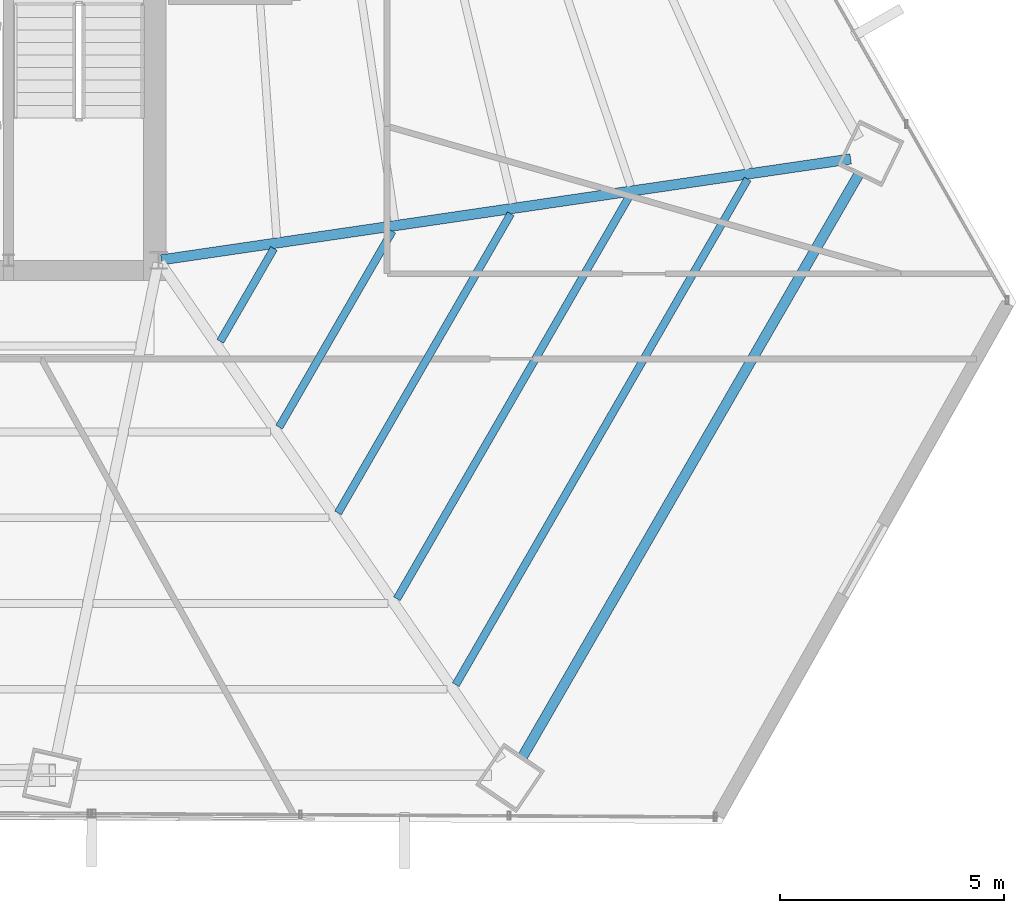
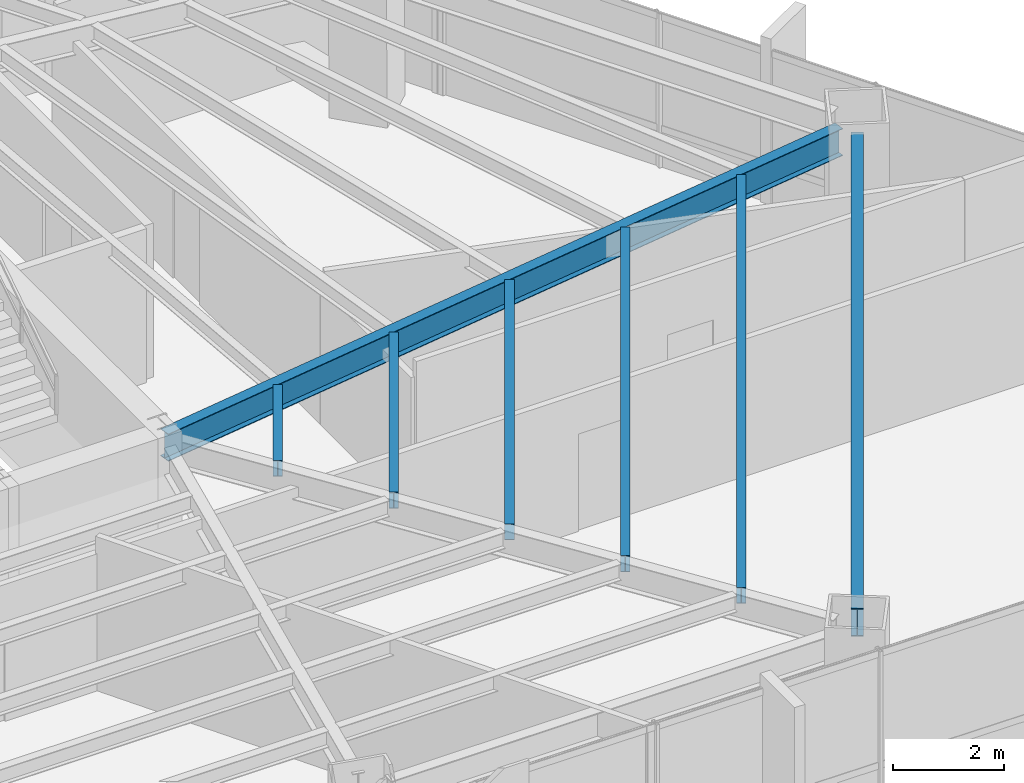
# One storey, part 18 of 36: 7 beams.
"""IFC4 building model written with IfcOpenShell, lengths in metres."""

from ifc_helpers import new_model, si_unit, direction, frame, origin, origin_2d, place, context, subcontext, project, spatial, i_section, extrude, source, transform, mapped, material, material_profile, profile_set, type_object, type_shapes, element, save


model = new_model("IFC4")

# Units and contexts
model_context = context("Model", 3, precision=1e-05, world=origin(), true_north=direction((0.0, 1.0)))
body_context = subcontext(model_context, "Body", "Model", "MODEL_VIEW")
ifc_project = project(units=[si_unit("LENGTHUNIT", "METRE"), si_unit("AREAUNIT", "SQUARE_METRE"), si_unit("VOLUMEUNIT", "CUBIC_METRE"), si_unit("PLANEANGLEUNIT", "RADIAN"), si_unit("MASSUNIT", "GRAM", prefix="KILO")], contexts=[model_context])

# Site, building, storey
site_placement = place(None, origin())
site = spatial("IfcSite", under=ifc_project, at=site_placement, CompositionType="ELEMENT")
building_placement = place(site_placement, origin())
building = spatial("IfcBuilding", under=site, at=building_placement, Name="Caelisora Broadcast Tower", CompositionType="ELEMENT")
storey_placement = place(building_placement, frame((0.0, 0.0, 79.85009765625)))
storey = spatial("IfcBuildingStorey", under=building, at=storey_placement, Name="L20", CompositionType="ELEMENT", Elevation=79.85009765625)

# Beams
ifc_material = material(Name="Steel Grade 350 (AS/NZS 3679.1)", Category="steel")
ifc_material_profile_1 = material_profile(ifc_material, i_section(OverallWidth=0.22900390625, OverallDepth=0.611572265625, WebThickness=0.011962890625, FlangeThickness=0.01953125, at=origin_2d()), Name="Steel Grade 350 (AS/NZS 3679.1)")
ifc_profile_set_1 = profile_set([ifc_material_profile_1], Name="Steel Grade 350 (AS/NZS 3679.1)")
beam_type_1 = type_object("IfcBeamType", Name="PG03", PredefinedType="BEAM", material=ifc_profile_set_1)
shared_shape_1 = source(origin(), body_context, "Body", "SweptSolid", [
    extrude(i_section(OverallWidth=0.22900390625, OverallDepth=0.611572265625, WebThickness=0.011962890625, FlangeThickness=0.01953125, at=origin_2d()), origin(), (0.0, 0.0, 1.0), 15.0322265625),
])
type_shapes(beam_type_1, [shared_shape_1])
beam_1_placement = place(storey_placement, frame((53.615234375, 6.3056640625, 3.093994140625), z_axis=(0.499999410398, 0.866025744191, 0.0), x_axis=(-0.866025744191, 0.499999410398, 0.0)))
element("IfcBeam", 1, at=beam_1_placement, inside=storey, type_object=beam_type_1, Name="L20 beam PG03", PredefinedType="BEAM", context=body_context, shape_type="MappedRepresentation", body=[
    mapped(shared_shape_1, transform((0.0, 0.0, 0.0), scale=1.0)),
])
ifc_material_profile_2 = material_profile(ifc_material, i_section(OverallWidth=0.22802734375, OverallDepth=0.602294921875, WebThickness=0.010498046875, FlangeThickness=0.014892578125, at=origin_2d()), Name="Steel Grade 350 (AS/NZS 3679.1)")
ifc_profile_set_2 = profile_set([ifc_material_profile_2], Name="Steel Grade 350 (AS/NZS 3679.1)")
beam_type_2 = type_object("IfcBeamType", Name="PG04", PredefinedType="BEAM", material=ifc_profile_set_2)
shared_shape_2 = source(origin(), body_context, "Body", "SweptSolid", [
    extrude(i_section(OverallWidth=0.22802734375, OverallDepth=0.602294921875, WebThickness=0.010498046875, FlangeThickness=0.014892578125, at=origin_2d()), origin(), (0.0, 0.0, 1.0), 15.550537109375),
])
type_shapes(beam_type_2, [shared_shape_2])
beam_2_placement = place(storey_placement, frame((45.559326171875, 17.40869140625, 3.098876953125), z_axis=(0.989449539879, 0.144877907335, 0.0), x_axis=(-0.144877907335, 0.989449539879, 0.0)))
element("IfcBeam", 2, at=beam_2_placement, inside=storey, type_object=beam_type_2, Name="L20 beam PG04", PredefinedType="BEAM", context=body_context, shape_type="MappedRepresentation", body=[
    mapped(shared_shape_2, transform((0.0, 0.0, 0.0), scale=1.0)),
])
ifc_material_profile_3 = material_profile(ifc_material, i_section(OverallWidth=0.172119140625, OverallDepth=0.358642578125, WebThickness=0.008056640625, FlangeThickness=0.012939453125, at=origin_2d()), Name="Steel Grade 350 (AS/NZS 3679.1)")
ifc_profile_set_3 = profile_set([ifc_material_profile_3], Name="Steel Grade 350 (AS/NZS 3679.1)")
beam_type_3 = type_object("IfcBeamType", Name="SB02", PredefinedType="JOIST", material=ifc_profile_set_3)
shared_shape_3 = source(origin(), body_context, "Body", "SweptSolid", [
    extrude(i_section(OverallWidth=0.172119140625, OverallDepth=0.358642578125, WebThickness=0.008056640625, FlangeThickness=0.012939453125, at=origin_2d()), origin(), (0.0, 0.0, 1.0), 2.39306640625),
])
beam_3_placement = place(storey_placement, frame((46.8759765625, 15.59130859375, 3.220703125), z_axis=(0.499990325971, 0.866030989016, 0.0), x_axis=(-0.866030989016, 0.499990325971, 0.0)))
element("IfcBeam", 3, at=beam_3_placement, inside=storey, type_object=beam_type_3, Name="L20 beam SB02", PredefinedType="JOIST", context=body_context, shape_type="MappedRepresentation", body=[
    mapped(shared_shape_3, transform((0.0, 0.0, 0.0), scale=1.0)),
])
shared_shape_4 = source(origin(), body_context, "Body", "SweptSolid", [
    extrude(i_section(OverallWidth=0.172119140625, OverallDepth=0.358642578125, WebThickness=0.008056640625, FlangeThickness=0.012939453125, at=origin_2d()), origin(), (0.0, 0.0, 1.0), 5.0517578125),
])
beam_4_placement = place(storey_placement, frame((48.190185546875, 13.67578125, 3.220703125), z_axis=(0.499995765644, 0.866027848477, 0.0), x_axis=(-0.866027848477, 0.499995765644, 0.0)))
element("IfcBeam", 4, at=beam_4_placement, inside=storey, type_object=beam_type_3, Name="L20 beam SB02", PredefinedType="JOIST", context=body_context, shape_type="MappedRepresentation", body=[
    mapped(shared_shape_4, transform((0.0, 0.0, 0.0), scale=1.0)),
])
shared_shape_5 = source(origin(), body_context, "Body", "SweptSolid", [
    extrude(i_section(OverallWidth=0.172119140625, OverallDepth=0.358642578125, WebThickness=0.008056640625, FlangeThickness=0.012939453125, at=origin_2d()), origin(), (0.0, 0.0, 1.0), 7.71044921875),
])
beam_5_placement = place(storey_placement, frame((49.50439453125, 11.760498046875, 3.220703125), z_axis=(0.499997453958, 0.866026873738, 0.0), x_axis=(-0.866026873738, 0.499997453958, 0.0)))
element("IfcBeam", 5, at=beam_5_placement, inside=storey, type_object=beam_type_3, Name="L20 beam SB02", PredefinedType="JOIST", context=body_context, shape_type="MappedRepresentation", body=[
    mapped(shared_shape_5, transform((0.0, 0.0, 0.0), scale=1.0)),
])
shared_shape_6 = source(origin(), body_context, "Body", "SweptSolid", [
    extrude(i_section(OverallWidth=0.172119140625, OverallDepth=0.358642578125, WebThickness=0.008056640625, FlangeThickness=0.012939453125, at=origin_2d()), origin(), (0.0, 0.0, 1.0), 10.369140625),
])
beam_6_placement = place(storey_placement, frame((50.818603515625, 9.844970703125, 3.220703125), z_axis=(0.499998276493, 0.866026398849, 0.0), x_axis=(-0.866026398849, 0.499998276493, 0.0)))
element("IfcBeam", 6, at=beam_6_placement, inside=storey, type_object=beam_type_3, Name="L20 beam SB02", PredefinedType="JOIST", context=body_context, shape_type="MappedRepresentation", body=[
    mapped(shared_shape_6, transform((0.0, 0.0, 0.0), scale=1.0)),
])
shared_shape_7 = source(origin(), body_context, "Body", "SweptSolid", [
    extrude(i_section(OverallWidth=0.172119140625, OverallDepth=0.358642578125, WebThickness=0.008056640625, FlangeThickness=0.012939453125, at=origin_2d()), origin(), (0.0, 0.0, 1.0), 13.028076171875),
])
type_shapes(beam_type_3, [shared_shape_3, shared_shape_4, shared_shape_5, shared_shape_6, shared_shape_7])
beam_7_placement = place(storey_placement, frame((52.1328125, 7.929443359375, 3.220703125), z_axis=(0.499990648824, 0.866030802621, 0.0), x_axis=(-0.866030802621, 0.499990648824, 0.0)))
element("IfcBeam", 7, at=beam_7_placement, inside=storey, type_object=beam_type_3, Name="L20 beam SB02", PredefinedType="JOIST", context=body_context, shape_type="MappedRepresentation", body=[
    mapped(shared_shape_7, transform((0.0, 0.0, 0.0), scale=1.0)),
])

save(model, "model.ifc")
